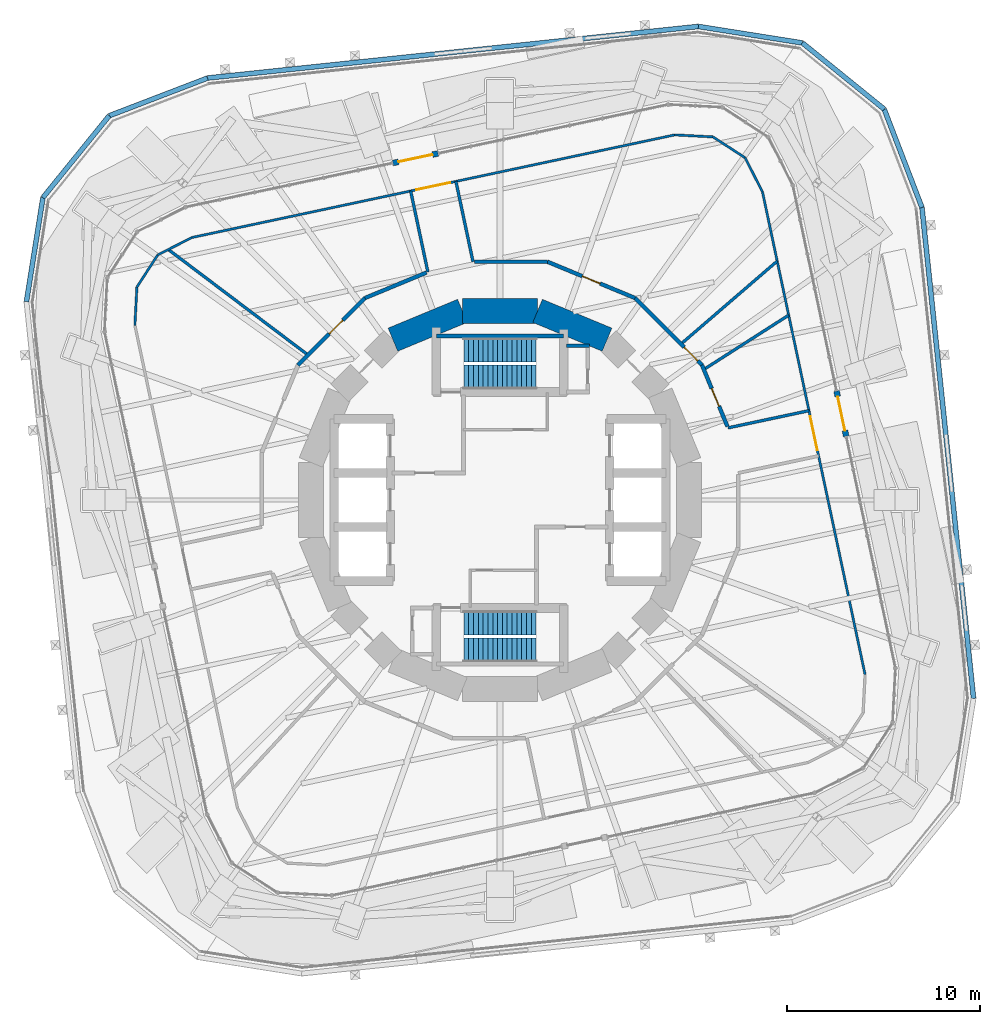
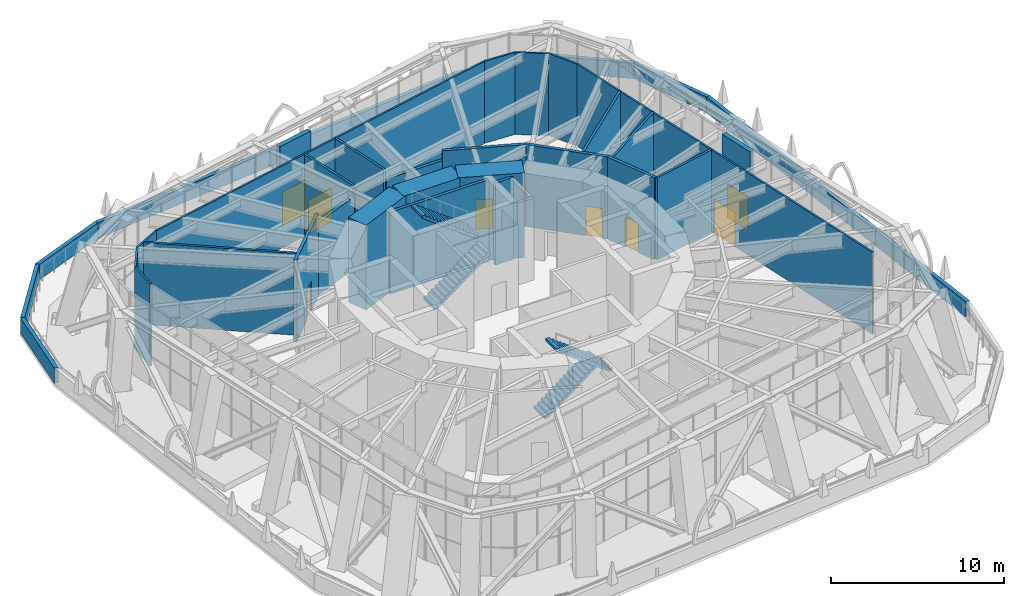
# One storey, part 17 of 23: 35 walls, 8 doors, 4 stair flights, 8 openings, 2 elements without a shape of their own.
"""IFC4 building model written with IfcOpenShell, lengths in metres."""

from ifc_helpers import new_model, si_unit, direction, frame, frame_2d, origin, place, context, subcontext, project, spatial, polyline, rectangle, outline, extrude, material, layer, layer_set, type_object, element, fill, aggregate, save


model = new_model("IFC4")

# Units and contexts
model_context = context("Model", 3, precision=1e-05, world=origin(), true_north=direction((0.0, 1.0)))
body_context = subcontext(model_context, "Body", "Model", "MODEL_VIEW")
ifc_project = project(units=[si_unit("LENGTHUNIT", "METRE"), si_unit("AREAUNIT", "SQUARE_METRE"), si_unit("VOLUMEUNIT", "CUBIC_METRE"), si_unit("PLANEANGLEUNIT", "RADIAN"), si_unit("MASSUNIT", "GRAM", prefix="KILO")], contexts=[model_context])

# Site, building, storey
site_placement = place(None, origin())
site = spatial("IfcSite", under=ifc_project, at=site_placement, CompositionType="ELEMENT")
building_placement = place(site_placement, origin())
building = spatial("IfcBuilding", under=site, at=building_placement, Name="Nakasero Lantern House", CompositionType="ELEMENT")
storey_placement = place(building_placement, frame((0.0, 0.0, 95.14990234375)))
storey = spatial("IfcBuildingStorey", under=building, at=storey_placement, Name="L23", CompositionType="ELEMENT", Elevation=95.14990234375)

# Walls
ifc_material_1 = material(Name="Concrete C50/60", Category="concrete")
ifc_layer_1 = layer(ifc_material_1, 1.300048828125)
ifc_layer_set_1 = layer_set([ifc_layer_1], Name="Core wall 1300")
wall_type_1 = type_object("IfcWallType", Name="Core wall 1300", PredefinedType="SHEAR", material=ifc_layer_set_1)
for number, where, z_axis, x_axis, name in (
    (1, (5.5556640625, 8.314697265625, 0.0), (0.0, 0.0, 1.0), (-0.923876507187, 0.382690736062, 0.0), "Core wall L23 facet 3"),
    (2, (1.950927734375, 9.807861328125, 0.0), (0.0, 0.0, 1.0), (-1.0, 0.0, 0.0), "Core wall L23 facet 4"),
    (3, (-1.950927734375, 9.807861328125, 0.0), (0.0, 0.0, 1.0), (-0.923876507187, -0.382690736062, 0.0), "Core wall L23 facet 5"),
):
    element("IfcWall", number, at=place(storey_placement, frame(where, z_axis=z_axis, x_axis=x_axis)), inside=storey, type_object=wall_type_1, Name=name, PredefinedType="SHEAR", context=body_context, shape_type="SweptSolid", body=[
        extrude(rectangle(XDim=3.90185546875, YDim=1.300048828125, at=frame_2d((1.950927734375, 0.0))), origin(), (0.0, 0.0, 1.0), 6.0),
    ])

# Wall, opening, door
ifc_material_2 = material(Name="Blockwork", Category="masonry")
ifc_layer_2 = layer(ifc_material_2, 0.199951171875)
ifc_layer_set_2 = layer_set([ifc_layer_2], Name="Corridor wall 200")
wall_type_2 = type_object("IfcWallType", Name="Corridor wall 200", PredefinedType="PARTITIONING", material=ifc_layer_set_2)
wall_1_placement = place(storey_placement, frame((-10.4765625, 7.000244140625, 0.0), z_axis=(0.0, 0.0, 1.0), x_axis=(0.707106781187, 0.707106781187, 0.0)))
wall_1 = element("IfcWall", 4, at=wall_1_placement, inside=storey, type_object=wall_type_2, Name="Corridor wall L23 TC10", PredefinedType="PARTITIONING", context=body_context, shape_type="SweptSolid", body=[
    extrude(rectangle(XDim=4.916259765625, YDim=0.199951171875, at=frame_2d((2.4580078125, 0.0))), origin(), (0.0, 0.0, 1.0), 5.800048828125),
])
opening_1_placement = place(wall_1_placement, frame((2.287841796875, 0.0, 0.0)))
opening_1 = element("IfcOpeningElement", 5, at=opening_1_placement, cuts=wall_1, Name="Opening D07", PredefinedType="OPENING", context=body_context, shape_type="SweptSolid", body=[
    extrude(rectangle(XDim=1.0, YDim=2.10009765625, at=frame_2d((0.5, 1.050048828125))), frame((0.0, 0.119873046875, 0.0), z_axis=(0.0, -1.0, 0.0), x_axis=(1.0, 0.0, 0.0)), (0.0, 0.0, 1.0), 0.239990234375),
])
ifc_material_3 = material(Name="Timber C24", Category="wood")
door_type_1 = type_object("IfcDoorType", Name="Room door FD30S 1000", OperationType="SINGLE_SWING_LEFT", PredefinedType="DOOR", material=ifc_material_3)
door_1_placement = place(opening_1_placement, origin())
door_1 = element("IfcDoor", 6, at=door_1_placement, inside=storey, type_object=door_type_1, Name="Door L23 TDR10", OperationType="SINGLE_SWING_RIGHT", OverallHeight=2.10009765625, OverallWidth=1.0, PredefinedType="DOOR", context=body_context, shape_type="SweptSolid", body=[
    extrude(rectangle(XDim=1.0, YDim=2.10009765625, at=frame_2d((0.5, 1.050048828125))), frame((0.0, 0.02490234375, 0.0), z_axis=(0.0, -1.0, 0.0), x_axis=(1.0, 0.0, 0.0)), (0.0, 0.0, 1.0), 0.050048828125),
])
fill(opening_1, door_1)

# Walls
wall_2_placement = place(storey_placement, frame((-7.000244140625, 10.4765625, 0.0), z_axis=(0.0, 0.0, 1.0), x_axis=(0.923901330046, 0.382630804222, 0.0)))
element("IfcWall", 7, at=wall_2_placement, inside=storey, type_object=wall_type_2, Name="Corridor wall L23 TC11", PredefinedType="PARTITIONING", context=body_context, shape_type="SweptSolid", body=[
    extrude(rectangle(XDim=3.451904296875, YDim=0.199951171875, at=frame_2d((1.72607421875, 0.0))), origin(), (0.0, 0.0, 1.0), 5.11669921875),
])
wall_3_placement = place(storey_placement, frame((-1.3232421875, 12.35791015625, 0.0), z_axis=(0.0, 0.0, 1.0), x_axis=(1.0, 0.0, 0.0)))
element("IfcWall", 8, at=wall_3_placement, inside=storey, type_object=wall_type_2, Name="Corridor wall L23 TC12", PredefinedType="PARTITIONING", context=body_context, shape_type="SweptSolid", body=[
    extrude(rectangle(XDim=3.78125, YDim=0.199951171875, at=frame_2d((1.890625, 0.0))), origin(), (0.0, 0.0, 1.0), 5.11669921875),
])

# Wall, opening, door
wall_4_placement = place(storey_placement, frame((2.4580078125, 12.35791015625, 0.0), z_axis=(0.0, 0.0, 1.0), x_axis=(0.923887315722, -0.382664641492, 0.0)))
wall_4 = element("IfcWall", 9, at=wall_4_placement, inside=storey, type_object=wall_type_2, Name="Corridor wall L23 TC13", PredefinedType="PARTITIONING", context=body_context, shape_type="SweptSolid", body=[
    extrude(rectangle(XDim=4.91650390625, YDim=0.199951171875, at=frame_2d((2.458251953125, 0.0))), origin(), (0.0, 0.0, 1.0), 5.800048828125),
])
opening_2_placement = place(wall_4_placement, frame((1.958251953125, 0.0, 0.0)))
opening_2 = element("IfcOpeningElement", 10, at=opening_2_placement, cuts=wall_4, Name="Opening D07", PredefinedType="OPENING", context=body_context, shape_type="SweptSolid", body=[
    extrude(rectangle(XDim=1.0, YDim=2.10009765625, at=frame_2d((0.5, 1.050048828125))), frame((0.0, 0.119873046875, 0.0), z_axis=(0.0, -1.0, 0.0), x_axis=(1.0, 0.0, 0.0)), (0.0, 0.0, 1.0), 0.239990234375),
])
door_2_placement = place(opening_2_placement, origin())
door_2 = element("IfcDoor", 11, at=door_2_placement, inside=storey, type_object=door_type_1, Name="Door L23 TDR02", OperationType="SINGLE_SWING_RIGHT", OverallHeight=2.10009765625, OverallWidth=1.0, PredefinedType="DOOR", context=body_context, shape_type="SweptSolid", body=[
    extrude(rectangle(XDim=1.0, YDim=2.10009765625, at=frame_2d((0.5, 1.050048828125))), frame((0.0, 0.02490234375, 0.0), z_axis=(0.0, -1.0, 0.0), x_axis=(1.0, 0.0, 0.0)), (0.0, 0.0, 1.0), 0.050048828125),
])
fill(opening_2, door_2)

wall_5_placement = place(storey_placement, frame((7.000244140625, 10.4765625, 0.0), z_axis=(0.0, 0.0, 1.0), x_axis=(0.707106781187, -0.707106781187, 0.0)))
wall_5 = element("IfcWall", 12, at=wall_5_placement, inside=storey, type_object=wall_type_2, Name="Corridor wall L23 TC14", PredefinedType="PARTITIONING", context=body_context, shape_type="SweptSolid", body=[
    extrude(rectangle(XDim=4.916259765625, YDim=0.199951171875, at=frame_2d((2.4580078125, 0.0))), origin(), (0.0, 0.0, 1.0), 5.800048828125),
])
opening_3_placement = place(wall_5_placement, frame((3.6083984375, 0.0, 0.0)))
opening_3 = element("IfcOpeningElement", 13, at=opening_3_placement, cuts=wall_5, Name="Opening D07", PredefinedType="OPENING", context=body_context, shape_type="SweptSolid", body=[
    extrude(rectangle(XDim=1.0, YDim=2.10009765625, at=frame_2d((0.5, 1.050048828125))), frame((0.0, 0.119873046875, 0.0), z_axis=(0.0, -1.0, 0.0), x_axis=(1.0, 0.0, 0.0)), (0.0, 0.0, 1.0), 0.239990234375),
])
door_3_placement = place(opening_3_placement, origin())
door_3 = element("IfcDoor", 14, at=door_3_placement, inside=storey, type_object=door_type_1, Name="Door L23 TDR01", OperationType="SINGLE_SWING_RIGHT", OverallHeight=2.10009765625, OverallWidth=1.0, PredefinedType="DOOR", context=body_context, shape_type="SweptSolid", body=[
    extrude(rectangle(XDim=1.0, YDim=2.10009765625, at=frame_2d((0.5, 1.050048828125))), frame((0.0, 0.02490234375, 0.0), z_axis=(0.0, -1.0, 0.0), x_axis=(1.0, 0.0, 0.0)), (0.0, 0.0, 1.0), 0.050048828125),
])
fill(opening_3, door_3)

wall_6_placement = place(storey_placement, frame((10.4765625, 7.000244140625, 0.0), z_axis=(0.0, 0.0, 1.0), x_axis=(0.382630804222, -0.923901330046, 0.0)))
wall_6 = element("IfcWall", 15, at=wall_6_placement, inside=storey, type_object=wall_type_2, Name="Corridor wall L23 TC15", PredefinedType="PARTITIONING", context=body_context, shape_type="SweptSolid", body=[
    extrude(rectangle(XDim=3.451904296875, YDim=0.199951171875, at=frame_2d((1.72607421875, 0.0))), origin(), (0.0, 0.0, 1.0), 5.800048828125),
])
opening_4_placement = place(wall_6_placement, frame((1.31298828125, 0.0, 0.0)))
opening_4 = element("IfcOpeningElement", 16, at=opening_4_placement, cuts=wall_6, Name="Opening D07", PredefinedType="OPENING", context=body_context, shape_type="SweptSolid", body=[
    extrude(rectangle(XDim=1.0, YDim=2.10009765625, at=frame_2d((0.5, 1.050048828125))), frame((0.0, 0.119873046875, 0.0), z_axis=(0.0, -1.0, 0.0), x_axis=(1.0, 0.0, 0.0)), (0.0, 0.0, 1.0), 0.239990234375),
])
door_4_placement = place(opening_4_placement, origin())
door_4 = element("IfcDoor", 17, at=door_4_placement, inside=storey, type_object=door_type_1, Name="Door L23 TDR00", OperationType="SINGLE_SWING_RIGHT", OverallHeight=2.10009765625, OverallWidth=1.0, PredefinedType="DOOR", context=body_context, shape_type="SweptSolid", body=[
    extrude(rectangle(XDim=1.0, YDim=2.10009765625, at=frame_2d((0.5, 1.050048828125))), frame((0.0, 0.02490234375, 0.0), z_axis=(0.0, -1.0, 0.0), x_axis=(1.0, 0.0, 0.0)), (0.0, 0.0, 1.0), 0.050048828125),
])
fill(opening_4, door_4)

ifc_material_4 = material(Name="Concrete C40/50", Category="concrete")
ifc_layer_3 = layer(ifc_material_4, 0.300048828125)
ifc_layer_set_3 = layer_set([ifc_layer_3], Name="Entrance portal wall 300")
wall_type_3 = type_object("IfcWallType", Name="Entrance portal wall 300", PredefinedType="SOLIDWALL", material=ifc_layer_set_3)
wall_7_placement = place(storey_placement, frame((17.955078125, 3.305419921875, 0.0), z_axis=(0.0, 0.0, 1.0), x_axis=(-0.207937840262, 0.978142042133, 0.0)))
wall_7 = element("IfcWall", 18, at=wall_7_placement, inside=storey, type_object=wall_type_3, Name="Sky lounge door wall L23 0", PredefinedType="SOLIDWALL", context=body_context, shape_type="SweptSolid", body=[
    extrude(rectangle(XDim=2.39990234375, YDim=0.300048828125, at=frame_2d((1.199951171875, 0.0))), origin(), (0.0, 0.0, 1.0), 5.800048828125),
])
opening_5_placement = place(wall_7_placement, frame((0.300048828125, 0.0, 0.0)))
opening_5 = element("IfcOpeningElement", 19, at=opening_5_placement, cuts=wall_7, Name="Opening D10", PredefinedType="OPENING", context=body_context, shape_type="SweptSolid", body=[
    extrude(rectangle(XDim=1.800048828125, YDim=2.39990234375, at=frame_2d((0.89990234375, 1.199951171875))), frame((0.0, 0.169921875, 0.0), z_axis=(0.0, -1.0, 0.0), x_axis=(1.0, 0.0, 0.0)), (0.0, 0.0, 1.0), 0.340087890625),
])
ifc_material_5 = material(Name="Aluminium 6063-T6 and glass", Category="aluminium")
door_type_2 = type_object("IfcDoorType", Name="Sky garden doors 1800x2400", OperationType="DOUBLE_DOOR_SINGLE_SWING", PredefinedType="DOOR", material=ifc_material_5)
door_5_placement = place(opening_5_placement, origin())
door_5 = element("IfcDoor", 20, at=door_5_placement, inside=storey, type_object=door_type_2, Name="Sky garden door L23 0", OperationType="DOUBLE_DOOR_SINGLE_SWING", OverallHeight=2.39990234375, OverallWidth=1.800048828125, PredefinedType="DOOR", context=body_context, shape_type="SweptSolid", body=[
    extrude(rectangle(XDim=1.800048828125, YDim=2.39990234375, at=frame_2d((0.89990234375, 1.199951171875))), frame((0.0, 0.02490234375, 0.0), z_axis=(0.0, -1.0, 0.0), x_axis=(1.0, 0.0, 0.0)), (0.0, 0.0, 1.0), 0.050048828125),
])
fill(opening_5, door_5)

wall_8_placement = place(storey_placement, frame((-3.20751953125, 17.975830078125, 0.0), z_axis=(0.0, 0.0, 1.0), x_axis=(-0.978167123015, -0.207819824493, 0.0)))
wall_8 = element("IfcWall", 21, at=wall_8_placement, inside=storey, type_object=wall_type_3, Name="Sky lounge door wall L23 1", PredefinedType="SOLIDWALL", context=body_context, shape_type="SweptSolid", body=[
    extrude(rectangle(XDim=2.400146484375, YDim=0.300048828125, at=frame_2d((1.2001953125, 0.0))), origin(), (0.0, 0.0, 1.0), 5.800048828125),
])
opening_6_placement = place(wall_8_placement, frame((0.300048828125, 0.0, 0.0)))
opening_6 = element("IfcOpeningElement", 22, at=opening_6_placement, cuts=wall_8, Name="Opening D10", PredefinedType="OPENING", context=body_context, shape_type="SweptSolid", body=[
    extrude(rectangle(XDim=1.800048828125, YDim=2.39990234375, at=frame_2d((0.89990234375, 1.199951171875))), frame((0.0, 0.169921875, 0.0), z_axis=(0.0, -1.0, 0.0), x_axis=(1.0, 0.0, 0.0)), (0.0, 0.0, 1.0), 0.340087890625),
])
door_6_placement = place(opening_6_placement, origin())
door_6 = element("IfcDoor", 23, at=door_6_placement, inside=storey, type_object=door_type_2, Name="Sky garden door L23 1", OperationType="DOUBLE_DOOR_SINGLE_SWING", OverallHeight=2.39990234375, OverallWidth=1.800048828125, PredefinedType="DOOR", context=body_context, shape_type="SweptSolid", body=[
    extrude(rectangle(XDim=1.800048828125, YDim=2.39990234375, at=frame_2d((0.89990234375, 1.199951171875))), frame((0.0, 0.02490234375, 0.0), z_axis=(0.0, -1.0, 0.0), x_axis=(1.0, 0.0, 0.0)), (0.0, 0.0, 1.0), 0.050048828125),
])
fill(opening_6, door_6)

# Walls
ifc_material_6 = material(Name="Blockwork", Category="masonry")
ifc_layer_4 = layer(ifc_material_6, 0.199951171875)
ifc_layer_set_4 = layer_set([ifc_layer_4], Name="Fire lobby wall 200")
wall_type_4 = type_object("IfcWallType", Name="Fire lobby wall 200", PredefinedType="PARTITIONING", material=ifc_layer_set_4)
wall_9_placement = place(storey_placement, frame((3.449951171875, 8.0, 0.0), z_axis=(0.0, 0.0, 1.0), x_axis=(1.0, 0.0, 0.0)))
element("IfcWall", 24, at=wall_9_placement, inside=storey, type_object=wall_type_4, Name="Fire lobby wall L23 W-RS1N", PredefinedType="PARTITIONING", context=body_context, shape_type="SweptSolid", body=[
    extrude(rectangle(XDim=1.199951171875, YDim=0.199951171875, at=frame_2d((0.60009765625, 0.0))), origin(), (0.0, 0.0, 1.0), 5.800048828125),
])
wall_10_placement = place(storey_placement, frame((-3.300048828125, 8.5, 0.0), z_axis=(0.0, 0.0, 1.0), x_axis=(1.0, 0.0, 0.0)))
element("IfcWall", 25, at=wall_10_placement, inside=storey, type_object=wall_type_4, Name="Fire lobby wall L23 W-STN", PredefinedType="PARTITIONING", context=body_context, shape_type="SweptSolid", body=[
    extrude(rectangle(XDim=6.60009765625, YDim=0.199951171875, at=frame_2d((3.300048828125, 0.0))), origin(), (0.0, 0.0, 1.0), 5.800048828125),
])

# Wall, opening, door
ifc_material_7 = material(Name="Aluminium 6063-T6 and glass", Category="aluminium")
ifc_layer_5 = layer(ifc_material_7, 0.1201171875)
ifc_layer_set_5 = layer_set([ifc_layer_5], Name="Glazed screen 120")
wall_type_5 = type_object("IfcWallType", Name="Glazed screen 120", PredefinedType="PARTITIONING", material=ifc_layer_set_5)
wall_11_placement = place(storey_placement, frame((18.936279296875, -9.06103515625, 0.0), z_axis=(0.0, 0.0, 1.0), x_axis=(-0.207909055127, 0.978148160964, 0.0)))
wall_11 = element("IfcWall", 26, at=wall_11_placement, inside=storey, type_object=wall_type_5, Name="Glazed screen L23 WG0S", PredefinedType="PARTITIONING", context=body_context, shape_type="SweptSolid", body=[
    extrude(rectangle(XDim=25.60009765625, YDim=0.1201171875, at=frame_2d((12.800048828125, 0.0))), origin(), (0.0, 0.0, 1.0), 5.800048828125),
])
opening_7_placement = place(wall_11_placement, frame((11.89990234375, 0.0, 0.0)))
opening_7 = element("IfcOpeningElement", 27, at=opening_7_placement, cuts=wall_11, Name="Opening D18", PredefinedType="OPENING", context=body_context, shape_type="SweptSolid", body=[
    extrude(rectangle(XDim=1.800048828125, YDim=2.39990234375, at=frame_2d((0.89990234375, 1.199951171875))), frame((0.0, 0.080078125, 0.0), z_axis=(0.0, -1.0, 0.0), x_axis=(1.0, 0.0, 0.0)), (0.0, 0.0, 1.0), 0.16015625),
])
ifc_material_8 = material(Name="Aluminium 6063-T6 and glass", Category="aluminium")
door_type_3 = type_object("IfcDoorType", Name="Glazed screen door 1800", OperationType="DOUBLE_DOOR_SINGLE_SWING", PredefinedType="DOOR", material=ifc_material_8)
door_7_placement = place(opening_7_placement, origin())
door_7 = element("IfcDoor", 28, at=door_7_placement, inside=storey, type_object=door_type_3, Name="Door L23 DW0", OperationType="DOUBLE_DOOR_SINGLE_SWING", OverallHeight=2.39990234375, OverallWidth=1.800048828125, PredefinedType="DOOR", context=body_context, shape_type="SweptSolid", body=[
    extrude(rectangle(XDim=1.800048828125, YDim=2.39990234375, at=frame_2d((0.89990234375, 1.199951171875))), frame((0.0, 0.02490234375, 0.0), z_axis=(0.0, -1.0, 0.0), x_axis=(1.0, 0.0, 0.0)), (0.0, 0.0, 1.0), 0.050048828125),
])
fill(opening_7, door_7)

# Walls
wall_12_placement = place(storey_placement, frame((13.61376953125, 15.979736328125, 0.0), z_axis=(0.0, 0.0, 1.0), x_axis=(-0.45403254062, 0.89098510204, 0.0)))
element("IfcWall", 29, at=wall_12_placement, inside=storey, type_object=wall_type_5, Name="Glazed screen L23 WG0C1", PredefinedType="PARTITIONING", context=body_context, shape_type="SweptSolid", body=[
    extrude(rectangle(XDim=1.98681640625, YDim=0.1201171875, at=frame_2d((0.993408203125, 0.0))), origin(), (0.0, 0.0, 1.0), 5.800048828125),
])
wall_13_placement = place(storey_placement, frame((12.711669921875, 17.75, 0.0), z_axis=(0.0, 0.0, 1.0), x_axis=(-0.838662499482, 0.544651459157, 0.0)))
element("IfcWall", 30, at=wall_13_placement, inside=storey, type_object=wall_type_5, Name="Glazed screen L23 WG0C2", PredefinedType="PARTITIONING", context=body_context, shape_type="SweptSolid", body=[
    extrude(rectangle(XDim=1.987060546875, YDim=0.1201171875, at=frame_2d((0.99365234375, 0.0))), origin(), (0.0, 0.0, 1.0), 5.800048828125),
])
wall_14_placement = place(storey_placement, frame((11.045166015625, 18.832275390625, 0.0), z_axis=(0.0, 0.0, 1.0), x_axis=(-0.998629008233, 0.052346001908, 0.0)))
element("IfcWall", 31, at=wall_14_placement, inside=storey, type_object=wall_type_5, Name="Glazed screen L23 WG0C3", PredefinedType="PARTITIONING", context=body_context, shape_type="SweptSolid", body=[
    extrude(rectangle(XDim=1.98681640625, YDim=0.1201171875, at=frame_2d((0.993408203125, 0.0))), origin(), (0.0, 0.0, 1.0), 5.800048828125),
])

# Wall, opening, door
wall_15_placement = place(storey_placement, frame((9.06103515625, 18.936279296875, 0.0), z_axis=(0.0, 0.0, 1.0), x_axis=(-0.978148160964, -0.207909055127, 0.0)))
wall_15 = element("IfcWall", 32, at=wall_15_placement, inside=storey, type_object=wall_type_5, Name="Glazed screen L23 WG1S", PredefinedType="PARTITIONING", context=body_context, shape_type="SweptSolid", body=[
    extrude(rectangle(XDim=25.60009765625, YDim=0.1201171875, at=frame_2d((12.800048828125, 0.0))), origin(), (0.0, 0.0, 1.0), 5.800048828125),
])
opening_8_placement = place(wall_15_placement, frame((11.89990234375, 0.0, 0.0)))
opening_8 = element("IfcOpeningElement", 33, at=opening_8_placement, cuts=wall_15, Name="Opening D18", PredefinedType="OPENING", context=body_context, shape_type="SweptSolid", body=[
    extrude(rectangle(XDim=1.800048828125, YDim=2.39990234375, at=frame_2d((0.89990234375, 1.199951171875))), frame((0.0, 0.080078125, 0.0), z_axis=(0.0, -1.0, 0.0), x_axis=(1.0, 0.0, 0.0)), (0.0, 0.0, 1.0), 0.16015625),
])
door_8_placement = place(opening_8_placement, origin())
door_8 = element("IfcDoor", 34, at=door_8_placement, inside=storey, type_object=door_type_3, Name="Door L23 DW1", OperationType="DOUBLE_DOOR_SINGLE_SWING", OverallHeight=2.39990234375, OverallWidth=1.800048828125, PredefinedType="DOOR", context=body_context, shape_type="SweptSolid", body=[
    extrude(rectangle(XDim=1.800048828125, YDim=2.39990234375, at=frame_2d((0.89990234375, 1.199951171875))), frame((0.0, 0.02490234375, 0.0), z_axis=(0.0, -1.0, 0.0), x_axis=(1.0, 0.0, 0.0)), (0.0, 0.0, 1.0), 0.050048828125),
])
fill(opening_8, door_8)

# Walls
wall_16_placement = place(storey_placement, frame((-15.979736328125, 13.61376953125, 0.0), z_axis=(0.0, 0.0, 1.0), x_axis=(-0.89098510204, -0.45403254062, 0.0)))
element("IfcWall", 35, at=wall_16_placement, inside=storey, type_object=wall_type_5, Name="Glazed screen L23 WG1C1", PredefinedType="PARTITIONING", context=body_context, shape_type="SweptSolid", body=[
    extrude(rectangle(XDim=1.98681640625, YDim=0.1201171875, at=frame_2d((0.993408203125, 0.0))), origin(), (0.0, 0.0, 1.0), 5.800048828125),
])
wall_17_placement = place(storey_placement, frame((-17.75, 12.711669921875, 0.0), z_axis=(0.0, 0.0, 1.0), x_axis=(-0.544651459157, -0.838662499482, 0.0)))
element("IfcWall", 36, at=wall_17_placement, inside=storey, type_object=wall_type_5, Name="Glazed screen L23 WG1C2", PredefinedType="PARTITIONING", context=body_context, shape_type="SweptSolid", body=[
    extrude(rectangle(XDim=1.987060546875, YDim=0.1201171875, at=frame_2d((0.99365234375, 0.0))), origin(), (0.0, 0.0, 1.0), 5.800048828125),
])
wall_18_placement = place(storey_placement, frame((-18.832275390625, 11.045166015625, 0.0), z_axis=(0.0, 0.0, 1.0), x_axis=(-0.052346001908, -0.998629008233, 0.0)))
element("IfcWall", 37, at=wall_18_placement, inside=storey, type_object=wall_type_5, Name="Glazed screen L23 WG1C3", PredefinedType="PARTITIONING", context=body_context, shape_type="SweptSolid", body=[
    extrude(rectangle(XDim=1.98681640625, YDim=0.1201171875, at=frame_2d((0.993408203125, 0.0))), origin(), (0.0, 0.0, 1.0), 5.800048828125),
])
ifc_material_9 = material(Name="Concrete C35/45", Category="concrete")
ifc_layer_6 = layer(ifc_material_9, 0.25)
ifc_layer_set_6 = layer_set([ifc_layer_6], Name="Parapet 250")
wall_type_6 = type_object("IfcWallType", Name="Parapet 250", PredefinedType="SOLIDWALL", material=ifc_layer_set_6)
wall_19_placement = place(storey_placement, frame((24.56005859375, -10.2890625, 0.0), z_axis=(0.0, 0.0, 1.0), x_axis=(-0.104532378096, 0.994521483895, 0.0)))
element("IfcWall", 38, at=wall_19_placement, inside=storey, type_object=wall_type_6, Name="Parapet L23 PP0S", PredefinedType="SOLIDWALL", context=body_context, shape_type="SweptSolid", body=[
    extrude(rectangle(XDim=25.599853515625, YDim=0.25, at=frame_2d((12.7998046875, 0.0))), origin(), (0.0, 0.0, 1.0), 1.10009765625),
])
wall_20_placement = place(storey_placement, frame((21.884033203125, 15.170654296875, 0.0), z_axis=(0.0, 0.0, 1.0), x_axis=(-0.358358884793, 0.933583906079, 0.0)))
element("IfcWall", 39, at=wall_20_placement, inside=storey, type_object=wall_type_6, Name="Parapet L23 PP0C1", PredefinedType="SOLIDWALL", context=body_context, shape_type="SweptSolid", body=[
    extrude(rectangle(XDim=5.461181640625, YDim=0.25, at=frame_2d((2.73046875, 0.0))), origin(), (0.0, 0.0, 1.0), 1.10009765625),
])
wall_21_placement = place(storey_placement, frame((19.927001953125, 20.26904296875, 0.0), z_axis=(0.0, 0.0, 1.0), x_axis=(-0.777134500863, 0.629334543442, 0.0)))
element("IfcWall", 40, at=wall_21_placement, inside=storey, type_object=wall_type_6, Name="Parapet L23 PP0C2", PredefinedType="SOLIDWALL", context=body_context, shape_type="SweptSolid", body=[
    extrude(rectangle(XDim=5.4609375, YDim=0.25, at=frame_2d((2.73046875, 0.0))), origin(), (0.0, 0.0, 1.0), 1.10009765625),
])
wall_22_placement = place(storey_placement, frame((15.68310546875, 23.705810546875, 0.0), z_axis=(0.0, 0.0, 1.0), x_axis=(-0.987690729142, 0.156419383601, 0.0)))
element("IfcWall", 41, at=wall_22_placement, inside=storey, type_object=wall_type_6, Name="Parapet L23 PP0C3", PredefinedType="SOLIDWALL", context=body_context, shape_type="SweptSolid", body=[
    extrude(rectangle(XDim=5.461181640625, YDim=0.25, at=frame_2d((2.73046875, 0.0))), origin(), (0.0, 0.0, 1.0), 1.10009765625),
])
wall_23_placement = place(storey_placement, frame((10.2890625, 24.56005859375, 0.0), z_axis=(0.0, 0.0, 1.0), x_axis=(-0.994521483895, -0.104532378096, 0.0)))
element("IfcWall", 42, at=wall_23_placement, inside=storey, type_object=wall_type_6, Name="Parapet L23 PP1S", PredefinedType="SOLIDWALL", context=body_context, shape_type="SweptSolid", body=[
    extrude(rectangle(XDim=25.599853515625, YDim=0.25, at=frame_2d((12.7998046875, 0.0))), origin(), (0.0, 0.0, 1.0), 1.10009765625),
])
wall_24_placement = place(storey_placement, frame((-15.170654296875, 21.884033203125, 0.0), z_axis=(0.0, 0.0, 1.0), x_axis=(-0.933583906079, -0.358358884793, 0.0)))
element("IfcWall", 43, at=wall_24_placement, inside=storey, type_object=wall_type_6, Name="Parapet L23 PP1C1", PredefinedType="SOLIDWALL", context=body_context, shape_type="SweptSolid", body=[
    extrude(rectangle(XDim=5.461181640625, YDim=0.25, at=frame_2d((2.73046875, 0.0))), origin(), (0.0, 0.0, 1.0), 1.10009765625),
])
wall_25_placement = place(storey_placement, frame((-20.26904296875, 19.927001953125, 0.0), z_axis=(0.0, 0.0, 1.0), x_axis=(-0.629334543442, -0.777134500863, 0.0)))
element("IfcWall", 44, at=wall_25_placement, inside=storey, type_object=wall_type_6, Name="Parapet L23 PP1C2", PredefinedType="SOLIDWALL", context=body_context, shape_type="SweptSolid", body=[
    extrude(rectangle(XDim=5.4609375, YDim=0.25, at=frame_2d((2.73046875, 0.0))), origin(), (0.0, 0.0, 1.0), 1.10009765625),
])
wall_26_placement = place(storey_placement, frame((-23.705810546875, 15.68310546875, 0.0), z_axis=(0.0, 0.0, 1.0), x_axis=(-0.156419383601, -0.987690729142, 0.0)))
element("IfcWall", 45, at=wall_26_placement, inside=storey, type_object=wall_type_6, Name="Parapet L23 PP1C3", PredefinedType="SOLIDWALL", context=body_context, shape_type="SweptSolid", body=[
    extrude(rectangle(XDim=5.461181640625, YDim=0.25, at=frame_2d((2.73046875, 0.0))), origin(), (0.0, 0.0, 1.0), 1.10009765625),
])
ifc_material_10 = material(Name="Blockwork", Category="masonry")
ifc_layer_7 = layer(ifc_material_10, 0.14990234375)
ifc_layer_set_7 = layer_set([ifc_layer_7], Name="Party wall 150")
wall_type_7 = type_object("IfcWallType", Name="Party wall 150", PredefinedType="PARTITIONING", material=ifc_layer_set_7)
wall_27_placement = place(storey_placement, frame((10.572265625, 6.768798828125, 0.0), z_axis=(0.0, 0.0, 1.0), x_axis=(0.842172951023, 0.539207493054, 0.0)))
element("IfcWall", 46, at=wall_27_placement, inside=storey, type_object=wall_type_7, Name="Party wall L23 TD00", PredefinedType="PARTITIONING", context=body_context, shape_type="SweptSolid", body=[
    extrude(rectangle(XDim=5.22509765625, YDim=0.14990234375, at=frame_2d((2.612548828125, 0.0))), origin(), (0.0, 0.0, 1.0), 5.800048828125),
])
wall_28_placement = place(storey_placement, frame((9.38720703125, 8.08935546875, 0.0), z_axis=(0.0, 0.0, 1.0), x_axis=(0.757537627222, 0.652791500667, 0.0)))
element("IfcWall", 47, at=wall_28_placement, inside=storey, type_object=wall_type_7, Name="Party wall L23 TD01", PredefinedType="PARTITIONING", context=body_context, shape_type="SweptSolid", body=[
    extrude(rectangle(XDim=6.5869140625, YDim=0.14990234375, at=frame_2d((3.29345703125, 0.0))), origin(), (0.0, 0.0, 1.0), 5.800048828125),
])
wall_29_placement = place(storey_placement, frame((-9.956787109375, 7.519775390625, 0.0), z_axis=(0.0, 0.0, 1.0), x_axis=(-0.797988316879, 0.602672918028, 0.0)))
element("IfcWall", 48, at=wall_29_placement, inside=storey, type_object=wall_type_7, Name="Party wall L23 TD10", PredefinedType="PARTITIONING", context=body_context, shape_type="SweptSolid", body=[
    extrude(rectangle(XDim=9.07861328125, YDim=0.14990234375, at=frame_2d((4.539306640625, 0.0))), origin(), (0.0, 0.0, 1.0), 5.800048828125),
])
for number, where, z_axis, x_axis, name in (
    (49, (11.82666015625, 3.74072265625, 0.0), (0.0, 0.0, 1.0), (0.978156393642, 0.207870319133, 0.0), "Party wall L23 TP0L"),
    (50, (-3.74072265625, 11.82666015625, 0.0), (0.0, 0.0, 1.0), (-0.207870319133, 0.978156393642, 0.0), "Party wall L23 TP1L"),
):
    element("IfcWall", number, at=place(storey_placement, frame(where, z_axis=z_axis, x_axis=x_axis)), inside=storey, type_object=wall_type_7, Name=name, PredefinedType="PARTITIONING", context=body_context, shape_type="SweptSolid", body=[
        extrude(rectangle(XDim=4.292724609375, YDim=0.14990234375, at=frame_2d((2.146484375, 0.0))), origin(), (0.0, 0.0, 1.0), 5.800048828125),
    ])
wall_30_placement = place(storey_placement, frame((-1.39990234375, 12.35791015625, 0.0), z_axis=(0.0, 0.0, 1.0), x_axis=(-0.207927985539, 0.978144137042, 0.0)))
element("IfcWall", 51, at=wall_30_placement, inside=storey, type_object=wall_type_7, Name="Party wall L23 TP1R", PredefinedType="PARTITIONING", context=body_context, shape_type="SweptSolid", body=[
    extrude(rectangle(XDim=4.259765625, YDim=0.14990234375, at=frame_2d((2.1298828125, 0.0))), origin(), (0.0, 0.0, 1.0), 5.800048828125),
])

# Stair, stair flights
ifc_material_11 = material(Name="Concrete C40/50", Category="concrete")
stair_type_1 = type_object("IfcStairType", Name="Escape stair ST1 32 risers", PredefinedType="HALF_TURN_STAIR", material=ifc_material_11)
stair_1_placement = place(storey_placement, origin())
stair_1 = element("IfcStair", 52, at=stair_1_placement, inside=storey, type_object=stair_type_1, Name="Escape stair ST1 L23", PredefinedType="HALF_TURN_STAIR")
ifc_material_12 = material(Name="Concrete C40/50", Category="concrete")
stair_flight_type = type_object("IfcStairFlightType", Name="Escape stair flight", PredefinedType="STRAIGHT", material=ifc_material_12)
stair_flight_1_placement = place(storey_placement, frame((-1.875, 6.375, 0.0), z_axis=(0.0, 0.0, 1.0), x_axis=(1.0, 0.0, 0.0)))
stair_flight_1 = element("IfcStairFlight", 53, at=stair_flight_1_placement, type_object=stair_flight_type, Name="ST1 flight 1", NumberOfRisers=16, NumberOfTreads=15, PredefinedType="STRAIGHT", RiserHeight=0.1875, TreadLength=0.25, context=body_context, shape_type="SweptSolid", body=[
    extrude(outline(polyline([(0.0, 0.0), (0.0, 0.1875), (0.25, 0.1875), (0.25, 0.375), (0.5, 0.375), (0.5, 0.5625), (0.75, 0.5625), (0.75, 0.75), (1.0, 0.75), (1.0, 0.9375), (1.25, 0.9375), (1.25, 1.125), (1.5, 1.125), (1.5, 1.3125), (1.75, 1.3125), (1.75, 1.5), (2.0, 1.5), (2.0, 1.6875), (2.25, 1.6875), (2.25, 1.875), (2.5, 1.875), (2.5, 2.0625), (2.75, 2.0625), (2.75, 2.25), (3.0, 2.25), (3.0, 2.4375), (3.25, 2.4375), (3.25, 2.625), (3.5, 2.625), (3.5, 2.8125), (3.75, 2.8125), (3.75, 3.0), (3.75, 2.625), (0.249755859375, 0.0), (0.0, 0.0)])), frame((0.0, 0.625, 0.0), z_axis=(0.0, -1.0, 0.0), x_axis=(1.0, 0.0, 0.0)), (0.0, 0.0, 1.0), 1.25),
])
stair_flight_2_placement = place(storey_placement, frame((1.875, 7.77490234375, 3.0), z_axis=(0.0, 0.0, 1.0), x_axis=(-1.0, 0.0, 0.0)))
stair_flight_2 = element("IfcStairFlight", 54, at=stair_flight_2_placement, type_object=stair_flight_type, Name="ST1 flight 2", NumberOfRisers=16, NumberOfTreads=15, PredefinedType="STRAIGHT", RiserHeight=0.1875, TreadLength=0.25, context=body_context, shape_type="SweptSolid", body=[
    extrude(outline(polyline([(0.0, 0.0), (0.0, 0.1875), (0.25, 0.1875), (0.25, 0.375), (0.5, 0.375), (0.5, 0.5625), (0.75, 0.5625), (0.75, 0.75), (1.0, 0.75), (1.0, 0.9375), (1.25, 0.9375), (1.25, 1.125), (1.5, 1.125), (1.5, 1.3125), (1.75, 1.3125), (1.75, 1.5), (2.0, 1.5), (2.0, 1.6875), (2.25, 1.6875), (2.25, 1.875), (2.5, 1.875), (2.5, 2.0625), (2.75, 2.0625), (2.75, 2.25), (3.0, 2.25), (3.0, 2.4375), (3.25, 2.4375), (3.25, 2.625), (3.5, 2.625), (3.5, 2.8125), (3.75, 2.8125), (3.75, 3.0), (3.75, 2.625), (0.249755859375, 0.0), (0.0, 0.0)])), frame((0.0, 0.625, 0.0), z_axis=(0.0, -1.0, 0.0), x_axis=(1.0, 0.0, 0.0)), (0.0, 0.0, 1.0), 1.25),
])
aggregate(stair_1, [stair_flight_1, stair_flight_2])

ifc_material_13 = material(Name="Concrete C40/50", Category="concrete")
stair_type_2 = type_object("IfcStairType", Name="Escape stair ST2 32 risers", PredefinedType="HALF_TURN_STAIR", material=ifc_material_13)
stair_2_placement = place(storey_placement, origin())
stair_2 = element("IfcStair", 55, at=stair_2_placement, inside=storey, type_object=stair_type_2, Name="Escape stair ST2 L23", PredefinedType="HALF_TURN_STAIR")
stair_flight_3_placement = place(storey_placement, frame((-1.875, -6.375, 0.0), z_axis=(0.0, 0.0, 1.0), x_axis=(1.0, 0.0, 0.0)))
stair_flight_3 = element("IfcStairFlight", 56, at=stair_flight_3_placement, type_object=stair_flight_type, Name="ST2 flight 1", NumberOfRisers=16, NumberOfTreads=15, PredefinedType="STRAIGHT", RiserHeight=0.1875, TreadLength=0.25, context=body_context, shape_type="SweptSolid", body=[
    extrude(outline(polyline([(0.0, 0.0), (0.0, 0.1875), (0.25, 0.1875), (0.25, 0.375), (0.5, 0.375), (0.5, 0.5625), (0.75, 0.5625), (0.75, 0.75), (1.0, 0.75), (1.0, 0.9375), (1.25, 0.9375), (1.25, 1.125), (1.5, 1.125), (1.5, 1.3125), (1.75, 1.3125), (1.75, 1.5), (2.0, 1.5), (2.0, 1.6875), (2.25, 1.6875), (2.25, 1.875), (2.5, 1.875), (2.5, 2.0625), (2.75, 2.0625), (2.75, 2.25), (3.0, 2.25), (3.0, 2.4375), (3.25, 2.4375), (3.25, 2.625), (3.5, 2.625), (3.5, 2.8125), (3.75, 2.8125), (3.75, 3.0), (3.75, 2.625), (0.249755859375, 0.0), (0.0, 0.0)])), frame((0.0, 0.625, 0.0), z_axis=(0.0, -1.0, 0.0), x_axis=(1.0, 0.0, 0.0)), (0.0, 0.0, 1.0), 1.25),
])
stair_flight_4_placement = place(storey_placement, frame((1.875, -7.77490234375, 3.0), z_axis=(0.0, 0.0, 1.0), x_axis=(-1.0, 0.0, 0.0)))
stair_flight_4 = element("IfcStairFlight", 57, at=stair_flight_4_placement, type_object=stair_flight_type, Name="ST2 flight 2", NumberOfRisers=16, NumberOfTreads=15, PredefinedType="STRAIGHT", RiserHeight=0.1875, TreadLength=0.25, context=body_context, shape_type="SweptSolid", body=[
    extrude(outline(polyline([(0.0, 0.0), (0.0, 0.1875), (0.25, 0.1875), (0.25, 0.375), (0.5, 0.375), (0.5, 0.5625), (0.75, 0.5625), (0.75, 0.75), (1.0, 0.75), (1.0, 0.9375), (1.25, 0.9375), (1.25, 1.125), (1.5, 1.125), (1.5, 1.3125), (1.75, 1.3125), (1.75, 1.5), (2.0, 1.5), (2.0, 1.6875), (2.25, 1.6875), (2.25, 1.875), (2.5, 1.875), (2.5, 2.0625), (2.75, 2.0625), (2.75, 2.25), (3.0, 2.25), (3.0, 2.4375), (3.25, 2.4375), (3.25, 2.625), (3.5, 2.625), (3.5, 2.8125), (3.75, 2.8125), (3.75, 3.0), (3.75, 2.625), (0.249755859375, 0.0), (0.0, 0.0)])), frame((0.0, 0.625, 0.0), z_axis=(0.0, -1.0, 0.0), x_axis=(1.0, 0.0, 0.0)), (0.0, 0.0, 1.0), 1.25),
])
aggregate(stair_2, [stair_flight_3, stair_flight_4])

save(model, "model.ifc")
